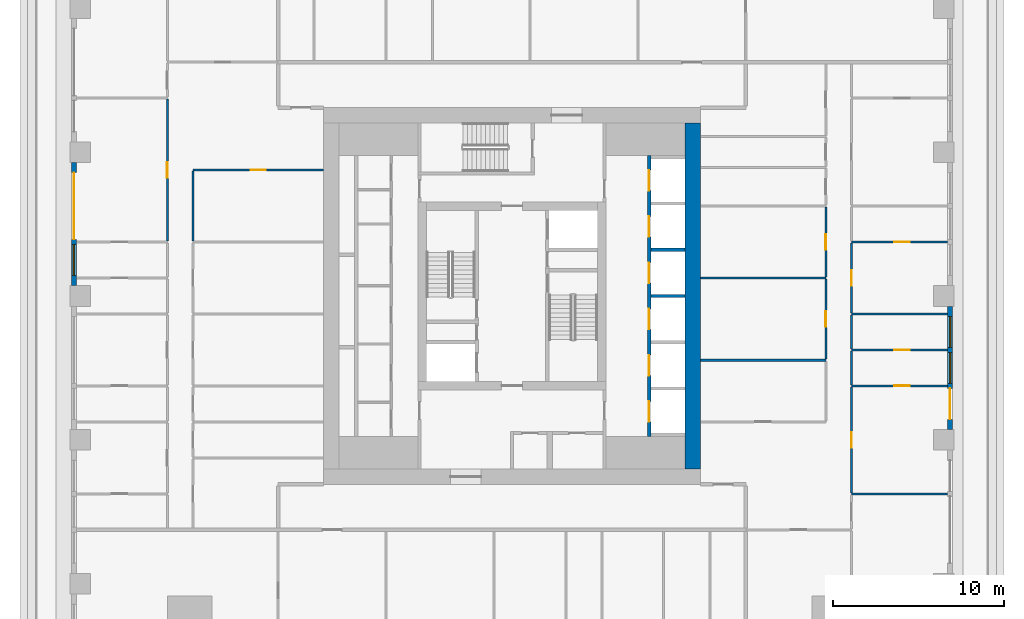
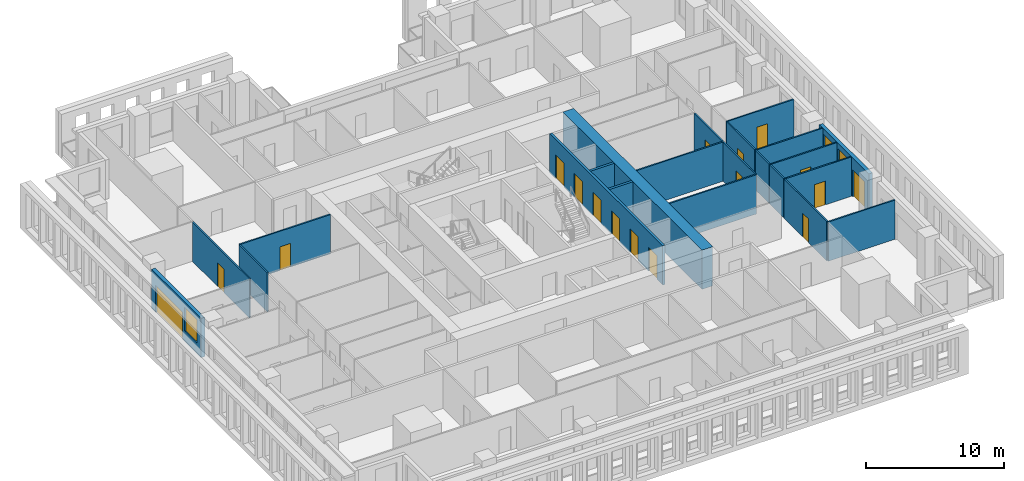
# One storey, part 6 of 16: 22 walls, 17 doors, 3 windows, 20 openings.
"""IFC4 building model written with IfcOpenShell, lengths in metres."""

from ifc_helpers import new_model, si_unit, direction, frame, frame_2d, origin, place, context, subcontext, project, spatial, rectangle, extrude, material, layer, layer_set, type_object, element, fill, save


model = new_model("IFC4")

# Units and contexts
model_context = context("Model", 3, precision=1e-05, world=origin(), true_north=direction((0.0, 1.0)))
body_context = subcontext(model_context, "Body", "Model", "MODEL_VIEW")
ifc_project = project(units=[si_unit("LENGTHUNIT", "METRE"), si_unit("AREAUNIT", "SQUARE_METRE"), si_unit("VOLUMEUNIT", "CUBIC_METRE"), si_unit("PLANEANGLEUNIT", "RADIAN"), si_unit("MASSUNIT", "GRAM", prefix="KILO")], contexts=[model_context])

# Site, building, storey
site_placement = place(None, origin())
site = spatial("IfcSite", under=ifc_project, at=site_placement, CompositionType="ELEMENT")
building_placement = place(site_placement, origin())
building = spatial("IfcBuilding", under=site, at=building_placement, Name="Khepri Terraces", CompositionType="ELEMENT")
storey_placement = place(building_placement, frame((0.0, 0.0, 149.39990234375)))
storey = spatial("IfcBuildingStorey", under=building, at=storey_placement, Name="L35", CompositionType="ELEMENT", Elevation=149.39990234375)

# Wall, openings, doors
ifc_material_1 = material(Name="Concrete C60/75", Category="concrete")
ifc_layer_1 = layer(ifc_material_1, 0.199951171875, Name="Concrete C60/75", Category="concrete")
ifc_layer_set_1 = layer_set([ifc_layer_1], Name="Concrete C60/75")
wall_type_1 = type_object("IfcWallType", Name="Core wall 200 C60/75", PredefinedType="SHEAR", material=ifc_layer_set_1)
wall_1_placement = place(storey_placement, frame((8.0, -8.199951171875, 0.0), z_axis=(0.0, 0.0, 1.0), x_axis=(0.0, 1.0, 0.0)))
wall_1 = element("IfcWall", 1, at=wall_1_placement, inside=storey, type_object=wall_type_1, Name="Core wall SH02 L35", PredefinedType="SHEAR", context=body_context, shape_type="SweptSolid", body=[
    extrude(rectangle(XDim=16.39990234375, YDim=0.199951171875, at=frame_2d((8.199951171875, 0.0))), origin(), (0.0, 0.0, 1.0), 3.47998046875),
])
opening_1_placement = place(wall_1_placement, frame((0.85009765625, 0.0, 0.0)))
opening_1 = element("IfcOpeningElement", 2, at=opening_1_placement, cuts=wall_1, Name="Opening L35-C01", PredefinedType="OPENING", context=body_context, shape_type="SweptSolid", body=[
    extrude(rectangle(XDim=1.199951171875, YDim=2.10009765625, at=frame_2d((0.60009765625, 1.050048828125))), frame((0.0, 0.10986328125, 0.0), z_axis=(0.0, -1.0, 0.0), x_axis=(1.0, 0.0, 0.0)), (0.0, 0.0, 1.0), 0.219970703125),
])
opening_2_placement = place(wall_1_placement, frame((3.550048828125, 0.0, 0.0)))
opening_2 = element("IfcOpeningElement", 3, at=opening_2_placement, cuts=wall_1, Name="Opening L35-C02", PredefinedType="OPENING", context=body_context, shape_type="SweptSolid", body=[
    extrude(rectangle(XDim=1.199951171875, YDim=2.10009765625, at=frame_2d((0.60009765625, 1.050048828125))), frame((0.0, 0.10986328125, 0.0), z_axis=(0.0, -1.0, 0.0), x_axis=(1.0, 0.0, 0.0)), (0.0, 0.0, 1.0), 0.219970703125),
])
opening_3_placement = place(wall_1_placement, frame((6.25, 0.0, 0.0)))
opening_3 = element("IfcOpeningElement", 4, at=opening_3_placement, cuts=wall_1, Name="Opening L35-C03", PredefinedType="OPENING", context=body_context, shape_type="SweptSolid", body=[
    extrude(rectangle(XDim=1.199951171875, YDim=2.10009765625, at=frame_2d((0.60009765625, 1.050048828125))), frame((0.0, 0.10986328125, 0.0), z_axis=(0.0, -1.0, 0.0), x_axis=(1.0, 0.0, 0.0)), (0.0, 0.0, 1.0), 0.219970703125),
])
opening_4_placement = place(wall_1_placement, frame((8.949951171875, 0.0, 0.0)))
opening_4 = element("IfcOpeningElement", 5, at=opening_4_placement, cuts=wall_1, Name="Opening L35-C04", PredefinedType="OPENING", context=body_context, shape_type="SweptSolid", body=[
    extrude(rectangle(XDim=1.199951171875, YDim=2.10009765625, at=frame_2d((0.60009765625, 1.050048828125))), frame((0.0, 0.10986328125, 0.0), z_axis=(0.0, -1.0, 0.0), x_axis=(1.0, 0.0, 0.0)), (0.0, 0.0, 1.0), 0.219970703125),
])
opening_5_placement = place(wall_1_placement, frame((11.64990234375, 0.0, 0.0)))
opening_5 = element("IfcOpeningElement", 6, at=opening_5_placement, cuts=wall_1, Name="Opening L35-C05", PredefinedType="OPENING", context=body_context, shape_type="SweptSolid", body=[
    extrude(rectangle(XDim=1.199951171875, YDim=2.10009765625, at=frame_2d((0.60009765625, 1.050048828125))), frame((0.0, 0.10986328125, 0.0), z_axis=(0.0, -1.0, 0.0), x_axis=(1.0, 0.0, 0.0)), (0.0, 0.0, 1.0), 0.219970703125),
])
opening_6_placement = place(wall_1_placement, frame((14.35009765625, 0.0, 0.0)))
opening_6 = element("IfcOpeningElement", 7, at=opening_6_placement, cuts=wall_1, Name="Opening L35-C06", PredefinedType="OPENING", context=body_context, shape_type="SweptSolid", body=[
    extrude(rectangle(XDim=1.199951171875, YDim=2.10009765625, at=frame_2d((0.60009765625, 1.050048828125))), frame((0.0, 0.10986328125, 0.0), z_axis=(0.0, -1.0, 0.0), x_axis=(1.0, 0.0, 0.0)), (0.0, 0.0, 1.0), 0.219970703125),
])
ifc_material_2 = material(Name="Stainless steel 304", Category="steel")
door_type_1 = type_object("IfcDoorType", Name="DR-CORE-LANDING-1200", OperationType="NOTDEFINED", PredefinedType="DOOR", material=ifc_material_2)
door_1_placement = place(opening_1_placement, origin())
door_1 = element("IfcDoor", 8, at=door_1_placement, inside=storey, type_object=door_type_1, Name="Lift landing door L35-C01", OperationType="SLIDING_TO_LEFT", OverallHeight=2.10009765625, OverallWidth=1.199951171875, PredefinedType="DOOR", context=body_context, shape_type="SweptSolid", body=[
    extrude(rectangle(XDim=1.199951171875, YDim=2.10009765625, at=frame_2d((0.60009765625, 1.050048828125))), frame((0.0, 0.02490234375, 0.0), z_axis=(0.0, -1.0, 0.0), x_axis=(1.0, 0.0, 0.0)), (0.0, 0.0, 1.0), 0.050048828125),
])
fill(opening_1, door_1)
door_2_placement = place(opening_2_placement, origin())
door_2 = element("IfcDoor", 9, at=door_2_placement, inside=storey, type_object=door_type_1, Name="Lift landing door L35-C02", OperationType="SLIDING_TO_LEFT", OverallHeight=2.10009765625, OverallWidth=1.199951171875, PredefinedType="DOOR", context=body_context, shape_type="SweptSolid", body=[
    extrude(rectangle(XDim=1.199951171875, YDim=2.10009765625, at=frame_2d((0.60009765625, 1.050048828125))), frame((0.0, 0.02490234375, 0.0), z_axis=(0.0, -1.0, 0.0), x_axis=(1.0, 0.0, 0.0)), (0.0, 0.0, 1.0), 0.050048828125),
])
fill(opening_2, door_2)
door_3_placement = place(opening_3_placement, origin())
door_3 = element("IfcDoor", 10, at=door_3_placement, inside=storey, type_object=door_type_1, Name="Lift landing door L35-C03", OperationType="SLIDING_TO_LEFT", OverallHeight=2.10009765625, OverallWidth=1.199951171875, PredefinedType="DOOR", context=body_context, shape_type="SweptSolid", body=[
    extrude(rectangle(XDim=1.199951171875, YDim=2.10009765625, at=frame_2d((0.60009765625, 1.050048828125))), frame((0.0, 0.02490234375, 0.0), z_axis=(0.0, -1.0, 0.0), x_axis=(1.0, 0.0, 0.0)), (0.0, 0.0, 1.0), 0.050048828125),
])
fill(opening_3, door_3)
door_4_placement = place(opening_4_placement, origin())
door_4 = element("IfcDoor", 11, at=door_4_placement, inside=storey, type_object=door_type_1, Name="Lift landing door L35-C04", OperationType="SLIDING_TO_LEFT", OverallHeight=2.10009765625, OverallWidth=1.199951171875, PredefinedType="DOOR", context=body_context, shape_type="SweptSolid", body=[
    extrude(rectangle(XDim=1.199951171875, YDim=2.10009765625, at=frame_2d((0.60009765625, 1.050048828125))), frame((0.0, 0.02490234375, 0.0), z_axis=(0.0, -1.0, 0.0), x_axis=(1.0, 0.0, 0.0)), (0.0, 0.0, 1.0), 0.050048828125),
])
fill(opening_4, door_4)
door_5_placement = place(opening_5_placement, origin())
door_5 = element("IfcDoor", 12, at=door_5_placement, inside=storey, type_object=door_type_1, Name="Lift landing door L35-C05", OperationType="SLIDING_TO_LEFT", OverallHeight=2.10009765625, OverallWidth=1.199951171875, PredefinedType="DOOR", context=body_context, shape_type="SweptSolid", body=[
    extrude(rectangle(XDim=1.199951171875, YDim=2.10009765625, at=frame_2d((0.60009765625, 1.050048828125))), frame((0.0, 0.02490234375, 0.0), z_axis=(0.0, -1.0, 0.0), x_axis=(1.0, 0.0, 0.0)), (0.0, 0.0, 1.0), 0.050048828125),
])
fill(opening_5, door_5)
door_6_placement = place(opening_6_placement, origin())
door_6 = element("IfcDoor", 13, at=door_6_placement, inside=storey, type_object=door_type_1, Name="Lift landing door L35-C06", OperationType="SLIDING_TO_LEFT", OverallHeight=2.10009765625, OverallWidth=1.199951171875, PredefinedType="DOOR", context=body_context, shape_type="SweptSolid", body=[
    extrude(rectangle(XDim=1.199951171875, YDim=2.10009765625, at=frame_2d((0.60009765625, 1.050048828125))), frame((0.0, 0.02490234375, 0.0), z_axis=(0.0, -1.0, 0.0), x_axis=(1.0, 0.0, 0.0)), (0.0, 0.0, 1.0), 0.050048828125),
])
fill(opening_6, door_6)

# Walls
for number, where, z_axis, x_axis, name in (
    (14, (8.10009765625, 0.0, 0.0), (0.0, 0.0, 1.0), (1.0, 0.0, 0.0), "Core wall SH09 L35"),
    (15, (8.10009765625, 2.699951171875, 0.0), (0.0, 0.0, 1.0), (1.0, 0.0, 0.0), "Core wall SH13 L35"),
):
    element("IfcWall", number, at=place(storey_placement, frame(where, z_axis=z_axis, x_axis=x_axis)), inside=storey, type_object=wall_type_1, Name=name, PredefinedType="SHEAR", context=body_context, shape_type="SweptSolid", body=[
        extrude(rectangle(XDim=2.0, YDim=0.199951171875, at=frame_2d((1.0, 0.0))), origin(), (0.0, 0.0, 1.0), 3.47998046875),
    ])
ifc_layer_2 = layer(ifc_material_1, 0.89990234375, Name="Concrete C60/75", Category="concrete")
ifc_layer_set_2 = layer_set([ifc_layer_2], Name="Concrete C60/75")
wall_type_2 = type_object("IfcWallType", Name="Core wall 900 C60/75", PredefinedType="SHEAR", material=ifc_layer_set_2)
wall_2_placement = place(storey_placement, frame((10.550048828125, -10.10009765625, 0.0), z_axis=(0.0, 0.0, 1.0), x_axis=(0.0, 1.0, 0.0)))
element("IfcWall", 16, at=wall_2_placement, inside=storey, type_object=wall_type_2, Name="Core wall OW-E L35", PredefinedType="SHEAR", context=body_context, shape_type="SweptSolid", body=[
    extrude(rectangle(XDim=20.2001953125, YDim=0.89990234375, at=frame_2d((10.10009765625, 0.0))), origin(), (0.0, 0.0, 1.0), 3.47998046875),
])

# Wall, openings, door, windows
ifc_material_3 = material(Name="Precast concrete C50/60 warm stone", Category="masonry")
ifc_layer_3 = layer(ifc_material_3, 0.300048828125, Name="Precast concrete C50/60 warm stone", Category="masonry")
ifc_layer_set_3 = layer_set([ifc_layer_3], Name="Precast concrete C50/60 warm stone")
wall_type_3 = type_object("IfcWallType", Name="WL-EXT-PRECAST-300", PredefinedType="STANDARD", material=ifc_layer_set_3)
wall_3_placement = place(storey_placement, frame((25.570068359375, -7.800048828125, 0.0), z_axis=(0.0, 0.0, 1.0), x_axis=(0.0, 1.0, 0.0)))
wall_3 = element("IfcWall", 17, at=wall_3_placement, inside=storey, type_object=wall_type_3, Name="External wall L35 E", PredefinedType="STANDARD", context=body_context, shape_type="SweptSolid", body=[
    extrude(rectangle(XDim=7.199951171875, YDim=0.300048828125, at=frame_2d((3.60009765625, 0.0))), origin(), (0.0, 0.0, 1.0), 3.47998046875),
])
opening_7_placement = place(wall_3_placement, frame((0.60009765625, 0.0, 0.0)))
opening_7 = element("IfcOpeningElement", 18, at=opening_7_placement, cuts=wall_3, Name="Opening ED-L35-04", PredefinedType="OPENING", context=body_context, shape_type="SweptSolid", body=[
    extrude(rectangle(XDim=1.800048828125, YDim=2.39990234375, at=frame_2d((0.89990234375, 1.199951171875))), frame((0.0, 0.16015625, 0.0), z_axis=(0.0, -1.0, 0.0), x_axis=(1.0, 0.0, 0.0)), (0.0, 0.0, 1.0), 0.320068359375),
])
opening_8_placement = place(wall_3_placement, frame((2.699951171875, 0.0, 0.89990234375)))
opening_8 = element("IfcOpeningElement", 19, at=opening_8_placement, cuts=wall_3, Name="Opening W1", PredefinedType="OPENING", context=body_context, shape_type="SweptSolid", body=[
    extrude(rectangle(XDim=1.800048828125, YDim=2.10009765625, at=frame_2d((0.89990234375, 1.050048828125))), frame((0.0, 0.16015625, 0.0), z_axis=(0.0, -1.0, 0.0), x_axis=(1.0, 0.0, 0.0)), (0.0, 0.0, 1.0), 0.320068359375),
])
opening_9_placement = place(wall_3_placement, frame((4.800048828125, 0.0, 0.89990234375)))
opening_9 = element("IfcOpeningElement", 20, at=opening_9_placement, cuts=wall_3, Name="Opening W1", PredefinedType="OPENING", context=body_context, shape_type="SweptSolid", body=[
    extrude(rectangle(XDim=1.800048828125, YDim=2.10009765625, at=frame_2d((0.89990234375, 1.050048828125))), frame((0.0, 0.16015625, 0.0), z_axis=(0.0, -1.0, 0.0), x_axis=(1.0, 0.0, 0.0)), (0.0, 0.0, 1.0), 0.320068359375),
])
ifc_material_4 = material(Name="Anodised aluminium bronze glazed door", Category="aluminium")
door_type_2 = type_object("IfcDoorType", Name="DR-BAL-SLIDE-1800x2400", OperationType="NOTDEFINED", PredefinedType="DOOR", material=ifc_material_4)
door_7_placement = place(opening_7_placement, origin())
door_7 = element("IfcDoor", 21, at=door_7_placement, inside=storey, type_object=door_type_2, Name="Balcony door L35 E", OperationType="SLIDING_TO_LEFT", OverallHeight=2.39990234375, OverallWidth=1.800048828125, PredefinedType="DOOR", context=body_context, shape_type="SweptSolid", body=[
    extrude(rectangle(XDim=1.800048828125, YDim=2.39990234375, at=frame_2d((0.89990234375, 1.199951171875))), frame((0.0, 0.02490234375, 0.0), z_axis=(0.0, -1.0, 0.0), x_axis=(1.0, 0.0, 0.0)), (0.0, 0.0, 1.0), 0.050048828125),
])
fill(opening_7, door_7)
ifc_material_5 = material(Name="Clear glass", Category="glass")
window_type = type_object("IfcWindowType", Name="WIN-RES-1800x2100", PartitioningType="SINGLE_PANEL", PredefinedType="WINDOW", material=ifc_material_5)
window_1_placement = place(opening_8_placement, origin())
window_1 = element("IfcWindow", 22, at=window_1_placement, inside=storey, type_object=window_type, Name="Window L35 E", OverallHeight=2.10009765625, OverallWidth=1.800048828125, PartitioningType="SINGLE_PANEL", PredefinedType="WINDOW", context=body_context, shape_type="SweptSolid", body=[
    extrude(rectangle(XDim=1.800048828125, YDim=2.10009765625, at=frame_2d((0.89990234375, 1.050048828125))), frame((0.0, 0.030029296875, 0.0), z_axis=(0.0, -1.0, 0.0), x_axis=(1.0, 0.0, 0.0)), (0.0, 0.0, 1.0), 0.06005859375),
])
fill(opening_8, window_1)
window_2_placement = place(opening_9_placement, origin())
window_2 = element("IfcWindow", 23, at=window_2_placement, inside=storey, type_object=window_type, Name="Window L35 E", OverallHeight=2.10009765625, OverallWidth=1.800048828125, PartitioningType="SINGLE_PANEL", PredefinedType="WINDOW", context=body_context, shape_type="SweptSolid", body=[
    extrude(rectangle(XDim=1.800048828125, YDim=2.10009765625, at=frame_2d((0.89990234375, 1.050048828125))), frame((0.0, 0.030029296875, 0.0), z_axis=(0.0, -1.0, 0.0), x_axis=(1.0, 0.0, 0.0)), (0.0, 0.0, 1.0), 0.06005859375),
])
fill(opening_9, window_2)

# Wall, openings, door, window
wall_4_placement = place(storey_placement, frame((-25.570068359375, 7.800048828125, 0.0), z_axis=(0.0, 0.0, 1.0), x_axis=(0.0, -1.0, 0.0)))
wall_4 = element("IfcWall", 24, at=wall_4_placement, inside=storey, type_object=wall_type_3, Name="External wall L35 W", PredefinedType="STANDARD", context=body_context, shape_type="SweptSolid", body=[
    extrude(rectangle(XDim=7.199951171875, YDim=0.300048828125, at=frame_2d((3.60009765625, 0.0))), origin(), (0.0, 0.0, 1.0), 3.47998046875),
])
opening_10_placement = place(wall_4_placement, frame((0.60009765625, 0.0, 0.0)))
opening_10 = element("IfcOpeningElement", 25, at=opening_10_placement, cuts=wall_4, Name="Opening ED-L35-14", PredefinedType="OPENING", context=body_context, shape_type="SweptSolid", body=[
    extrude(rectangle(XDim=3.89990234375, YDim=2.39990234375, at=frame_2d((1.949951171875, 1.199951171875))), frame((0.0, 0.16015625, 0.0), z_axis=(0.0, -1.0, 0.0), x_axis=(1.0, 0.0, 0.0)), (0.0, 0.0, 1.0), 0.320068359375),
])
opening_11_placement = place(wall_4_placement, frame((4.800048828125, 0.0, 0.89990234375)))
opening_11 = element("IfcOpeningElement", 26, at=opening_11_placement, cuts=wall_4, Name="Opening W1", PredefinedType="OPENING", context=body_context, shape_type="SweptSolid", body=[
    extrude(rectangle(XDim=1.800048828125, YDim=2.10009765625, at=frame_2d((0.89990234375, 1.050048828125))), frame((0.0, 0.16015625, 0.0), z_axis=(0.0, -1.0, 0.0), x_axis=(1.0, 0.0, 0.0)), (0.0, 0.0, 1.0), 0.320068359375),
])
door_type_3 = type_object("IfcDoorType", Name="DR-BAL-SLIDE-3900x2400", OperationType="NOTDEFINED", PredefinedType="DOOR", material=ifc_material_4)
door_8_placement = place(opening_10_placement, origin())
door_8 = element("IfcDoor", 27, at=door_8_placement, inside=storey, type_object=door_type_3, Name="Balcony door L35 W", OperationType="SLIDING_TO_LEFT", OverallHeight=2.39990234375, OverallWidth=3.89990234375, PredefinedType="DOOR", context=body_context, shape_type="SweptSolid", body=[
    extrude(rectangle(XDim=3.89990234375, YDim=2.39990234375, at=frame_2d((1.949951171875, 1.199951171875))), frame((0.0, 0.02490234375, 0.0), z_axis=(0.0, -1.0, 0.0), x_axis=(1.0, 0.0, 0.0)), (0.0, 0.0, 1.0), 0.050048828125),
])
fill(opening_10, door_8)
window_3_placement = place(opening_11_placement, origin())
window_3 = element("IfcWindow", 28, at=window_3_placement, inside=storey, type_object=window_type, Name="Window L35 W", OverallHeight=2.10009765625, OverallWidth=1.800048828125, PartitioningType="SINGLE_PANEL", PredefinedType="WINDOW", context=body_context, shape_type="SweptSolid", body=[
    extrude(rectangle(XDim=1.800048828125, YDim=2.10009765625, at=frame_2d((0.89990234375, 1.050048828125))), frame((0.0, 0.030029296875, 0.0), z_axis=(0.0, -1.0, 0.0), x_axis=(1.0, 0.0, 0.0)), (0.0, 0.0, 1.0), 0.06005859375),
])
fill(opening_11, window_3)

# Wall
ifc_material_6 = material(Name="Gypsum plasterboard partition")
ifc_layer_4 = layer(ifc_material_6, 0.1201171875, Name="Gypsum plasterboard partition")
ifc_layer_set_4 = layer_set([ifc_layer_4], Name="Gypsum plasterboard partition")
wall_type_4 = type_object("IfcWallType", Name="WL-PART-120", PredefinedType="PARTITIONING", material=ifc_layer_set_4)
wall_5_placement = place(storey_placement, frame((19.820068359375, -11.550048828125, 0.0), z_axis=(0.0, 0.0, 1.0), x_axis=(1.0, 0.0, 0.0)))
element("IfcWall", 29, at=wall_5_placement, inside=storey, type_object=wall_type_4, Name="Partition P-027 L35", PredefinedType="PARTITIONING", context=body_context, shape_type="SweptSolid", body=[
    extrude(rectangle(XDim=5.599853515625, YDim=0.1201171875, at=frame_2d((2.7998046875, 0.0))), origin(), (0.0, 0.0, 1.0), 3.47998046875),
])

# Wall, opening, door
wall_6_placement = place(storey_placement, frame((19.820068359375, -11.489990234375, 0.0), z_axis=(0.0, 0.0, 1.0), x_axis=(0.0, 1.0, 0.0)))
wall_6 = element("IfcWall", 30, at=wall_6_placement, inside=storey, type_object=wall_type_4, Name="Partition P-029 L35", PredefinedType="PARTITIONING", context=body_context, shape_type="SweptSolid", body=[
    extrude(rectangle(XDim=6.179931640625, YDim=0.1201171875, at=frame_2d((3.08984375, 0.0))), origin(), (0.0, 0.0, 1.0), 3.47998046875),
])
opening_12_placement = place(wall_6_placement, frame((2.639892578125, 0.0, 0.0)))
opening_12 = element("IfcOpeningElement", 31, at=opening_12_placement, cuts=wall_6, Name="Opening D3", PredefinedType="OPENING", context=body_context, shape_type="SweptSolid", body=[
    extrude(rectangle(XDim=0.89990234375, YDim=2.10009765625, at=frame_2d((0.449951171875, 1.050048828125))), frame((0.0, 0.070068359375, 0.0), z_axis=(0.0, -1.0, 0.0), x_axis=(1.0, 0.0, 0.0)), (0.0, 0.0, 1.0), 0.14013671875),
])
ifc_material_7 = material(Name="Timber door leaf", Category="wood")
door_type_4 = type_object("IfcDoorType", Name="DR-INT-900", OperationType="NOTDEFINED", PredefinedType="DOOR", material=ifc_material_7)
door_9_placement = place(opening_12_placement, frame((0.89990234375, 0.0, 0.0), z_axis=(0.0, 0.0, 1.0), x_axis=(-1.0, 0.0, 0.0)))
door_9 = element("IfcDoor", 32, at=door_9_placement, inside=storey, type_object=door_type_4, Name="Door Master Bedroom", OperationType="SINGLE_SWING_RIGHT", OverallHeight=2.10009765625, OverallWidth=0.89990234375, PredefinedType="DOOR", context=body_context, shape_type="SweptSolid", body=[
    extrude(rectangle(XDim=0.89990234375, YDim=2.10009765625, at=frame_2d((0.449951171875, 1.050048828125))), frame((0.0, 0.02490234375, 0.0), z_axis=(0.0, -1.0, 0.0), x_axis=(1.0, 0.0, 0.0)), (0.0, 0.0, 1.0), 0.050048828125),
])
fill(opening_12, door_9)

wall_7_placement = place(storey_placement, frame((19.820068359375, -5.25, 0.0), z_axis=(0.0, 0.0, 1.0), x_axis=(1.0, 0.0, 0.0)))
wall_7 = element("IfcWall", 33, at=wall_7_placement, inside=storey, type_object=wall_type_4, Name="Partition P-042 L35", PredefinedType="PARTITIONING", context=body_context, shape_type="SweptSolid", body=[
    extrude(rectangle(XDim=5.599853515625, YDim=0.1201171875, at=frame_2d((2.7998046875, 0.0))), origin(), (0.0, 0.0, 1.0), 3.47998046875),
])
opening_13_placement = place(wall_7_placement, frame((2.5, 0.0, 0.0)))
opening_13 = element("IfcOpeningElement", 34, at=opening_13_placement, cuts=wall_7, Name="Opening D3", PredefinedType="OPENING", context=body_context, shape_type="SweptSolid", body=[
    extrude(rectangle(XDim=0.89990234375, YDim=2.10009765625, at=frame_2d((0.449951171875, 1.050048828125))), frame((0.0, 0.070068359375, 0.0), z_axis=(0.0, -1.0, 0.0), x_axis=(1.0, 0.0, 0.0)), (0.0, 0.0, 1.0), 0.14013671875),
])
door_10_placement = place(opening_13_placement, origin())
door_10 = element("IfcDoor", 35, at=door_10_placement, inside=storey, type_object=door_type_4, Name="Door Dressing Room", OperationType="SINGLE_SWING_RIGHT", OverallHeight=2.10009765625, OverallWidth=0.89990234375, PredefinedType="DOOR", context=body_context, shape_type="SweptSolid", body=[
    extrude(rectangle(XDim=0.89990234375, YDim=2.10009765625, at=frame_2d((0.449951171875, 1.050048828125))), frame((0.0, 0.02490234375, 0.0), z_axis=(0.0, -1.0, 0.0), x_axis=(1.0, 0.0, 0.0)), (0.0, 0.0, 1.0), 0.050048828125),
])
fill(opening_13, door_10)

# Walls
wall_8_placement = place(storey_placement, frame((19.820068359375, -5.18994140625, 0.0), z_axis=(0.0, 0.0, 1.0), x_axis=(0.0, 1.0, 0.0)))
element("IfcWall", 36, at=wall_8_placement, inside=storey, type_object=wall_type_4, Name="Partition P-045 L35", PredefinedType="PARTITIONING", context=body_context, shape_type="SweptSolid", body=[
    extrude(rectangle(XDim=1.97998046875, YDim=0.1201171875, at=frame_2d((0.989990234375, 0.0))), origin(), (0.0, 0.0, 1.0), 3.47998046875),
])
wall_9_placement = place(storey_placement, frame((11.0, -3.75, 0.0), z_axis=(0.0, 0.0, 1.0), x_axis=(1.0, 0.0, 0.0)))
element("IfcWall", 37, at=wall_9_placement, inside=storey, type_object=wall_type_4, Name="Partition P-046 L35", PredefinedType="PARTITIONING", context=body_context, shape_type="SweptSolid", body=[
    extrude(rectangle(XDim=7.320068359375, YDim=0.1201171875, at=frame_2d((3.66015625, 0.0))), origin(), (0.0, 0.0, 1.0), 3.47998046875),
])

# Wall, opening, door
wall_10_placement = place(storey_placement, frame((18.320068359375, -3.68994140625, 0.0), z_axis=(0.0, 0.0, 1.0), x_axis=(0.0, 1.0, 0.0)))
wall_10 = element("IfcWall", 38, at=wall_10_placement, inside=storey, type_object=wall_type_4, Name="Partition P-047 L35", PredefinedType="PARTITIONING", context=body_context, shape_type="SweptSolid", body=[
    extrude(rectangle(XDim=4.679931640625, YDim=0.1201171875, at=frame_2d((2.33984375, 0.0))), origin(), (0.0, 0.0, 1.0), 3.47998046875),
])
opening_14_placement = place(wall_10_placement, frame((1.889892578125, 0.0, 0.0)))
opening_14 = element("IfcOpeningElement", 39, at=opening_14_placement, cuts=wall_10, Name="Opening D3", PredefinedType="OPENING", context=body_context, shape_type="SweptSolid", body=[
    extrude(rectangle(XDim=0.89990234375, YDim=2.10009765625, at=frame_2d((0.449951171875, 1.050048828125))), frame((0.0, 0.070068359375, 0.0), z_axis=(0.0, -1.0, 0.0), x_axis=(1.0, 0.0, 0.0)), (0.0, 0.0, 1.0), 0.14013671875),
])
door_11_placement = place(opening_14_placement, origin())
door_11 = element("IfcDoor", 40, at=door_11_placement, inside=storey, type_object=door_type_4, Name="Door Service Store", OperationType="SINGLE_SWING_RIGHT", OverallHeight=2.10009765625, OverallWidth=0.89990234375, PredefinedType="DOOR", context=body_context, shape_type="SweptSolid", body=[
    extrude(rectangle(XDim=0.89990234375, YDim=2.10009765625, at=frame_2d((0.449951171875, 1.050048828125))), frame((0.0, 0.02490234375, 0.0), z_axis=(0.0, -1.0, 0.0), x_axis=(1.0, 0.0, 0.0)), (0.0, 0.0, 1.0), 0.050048828125),
])
fill(opening_14, door_11)

wall_11_placement = place(storey_placement, frame((19.820068359375, -3.14990234375, 0.0), z_axis=(0.0, 0.0, 1.0), x_axis=(1.0, 0.0, 0.0)))
wall_11 = element("IfcWall", 41, at=wall_11_placement, inside=storey, type_object=wall_type_4, Name="Partition P-048 L35", PredefinedType="PARTITIONING", context=body_context, shape_type="SweptSolid", body=[
    extrude(rectangle(XDim=5.599853515625, YDim=0.1201171875, at=frame_2d((2.7998046875, 0.0))), origin(), (0.0, 0.0, 1.0), 3.47998046875),
])
opening_15_placement = place(wall_11_placement, frame((2.5, 0.0, 0.0)))
opening_15 = element("IfcOpeningElement", 42, at=opening_15_placement, cuts=wall_11, Name="Opening D4", PredefinedType="OPENING", context=body_context, shape_type="SweptSolid", body=[
    extrude(rectangle(XDim=0.89990234375, YDim=2.10009765625, at=frame_2d((0.449951171875, 1.050048828125))), frame((0.0, 0.070068359375, 0.0), z_axis=(0.0, -1.0, 0.0), x_axis=(1.0, 0.0, 0.0)), (0.0, 0.0, 1.0), 0.14013671875),
])
ifc_material_8 = material(Name="Timber door leaf, moisture resistant", Category="wood")
door_type_5 = type_object("IfcDoorType", Name="DR-WET-900", OperationType="NOTDEFINED", PredefinedType="DOOR", material=ifc_material_8)
door_12_placement = place(opening_15_placement, origin())
door_12 = element("IfcDoor", 43, at=door_12_placement, inside=storey, type_object=door_type_5, Name="Door Bathroom", OperationType="SINGLE_SWING_RIGHT", OverallHeight=2.10009765625, OverallWidth=0.89990234375, PredefinedType="DOOR", context=body_context, shape_type="SweptSolid", body=[
    extrude(rectangle(XDim=0.89990234375, YDim=2.10009765625, at=frame_2d((0.449951171875, 1.050048828125))), frame((0.0, 0.02490234375, 0.0), z_axis=(0.0, -1.0, 0.0), x_axis=(1.0, 0.0, 0.0)), (0.0, 0.0, 1.0), 0.050048828125),
])
fill(opening_15, door_12)

# Walls
wall_12_placement = place(storey_placement, frame((19.820068359375, -3.090087890625, 0.0), z_axis=(0.0, 0.0, 1.0), x_axis=(0.0, 1.0, 0.0)))
element("IfcWall", 44, at=wall_12_placement, inside=storey, type_object=wall_type_4, Name="Partition P-049 L35", PredefinedType="PARTITIONING", context=body_context, shape_type="SweptSolid", body=[
    extrude(rectangle(XDim=1.97998046875, YDim=0.1201171875, at=frame_2d((0.989990234375, 0.0))), origin(), (0.0, 0.0, 1.0), 3.47998046875),
])
wall_13_placement = place(storey_placement, frame((19.820068359375, -1.050048828125, 0.0), z_axis=(0.0, 0.0, 1.0), x_axis=(1.0, 0.0, 0.0)))
element("IfcWall", 45, at=wall_13_placement, inside=storey, type_object=wall_type_4, Name="Partition P-052 L35", PredefinedType="PARTITIONING", context=body_context, shape_type="SweptSolid", body=[
    extrude(rectangle(XDim=5.599853515625, YDim=0.1201171875, at=frame_2d((2.7998046875, 0.0))), origin(), (0.0, 0.0, 1.0), 3.47998046875),
])

# Wall, opening, door
wall_14_placement = place(storey_placement, frame((19.820068359375, -0.989990234375, 0.0), z_axis=(0.0, 0.0, 1.0), x_axis=(0.0, 1.0, 0.0)))
wall_14 = element("IfcWall", 46, at=wall_14_placement, inside=storey, type_object=wall_type_4, Name="Partition P-055 L35", PredefinedType="PARTITIONING", context=body_context, shape_type="SweptSolid", body=[
    extrude(rectangle(XDim=4.080078125, YDim=0.1201171875, at=frame_2d((2.0400390625, 0.0))), origin(), (0.0, 0.0, 1.0), 3.47998046875),
])
opening_16_placement = place(wall_14_placement, frame((1.590087890625, 0.0, 0.0)))
opening_16 = element("IfcOpeningElement", 47, at=opening_16_placement, cuts=wall_14, Name="Opening D3", PredefinedType="OPENING", context=body_context, shape_type="SweptSolid", body=[
    extrude(rectangle(XDim=0.89990234375, YDim=2.10009765625, at=frame_2d((0.449951171875, 1.050048828125))), frame((0.0, 0.070068359375, 0.0), z_axis=(0.0, -1.0, 0.0), x_axis=(1.0, 0.0, 0.0)), (0.0, 0.0, 1.0), 0.14013671875),
])
door_13_placement = place(opening_16_placement, frame((0.89990234375, 0.0, 0.0), z_axis=(0.0, 0.0, 1.0), x_axis=(-1.0, 0.0, 0.0)))
door_13 = element("IfcDoor", 48, at=door_13_placement, inside=storey, type_object=door_type_4, Name="Door Bedroom", OperationType="SINGLE_SWING_LEFT", OverallHeight=2.10009765625, OverallWidth=0.89990234375, PredefinedType="DOOR", context=body_context, shape_type="SweptSolid", body=[
    extrude(rectangle(XDim=0.89990234375, YDim=2.10009765625, at=frame_2d((0.449951171875, 1.050048828125))), frame((0.0, 0.02490234375, 0.0), z_axis=(0.0, -1.0, 0.0), x_axis=(1.0, 0.0, 0.0)), (0.0, 0.0, 1.0), 0.050048828125),
])
fill(opening_16, door_13)

# Wall
wall_15_placement = place(storey_placement, frame((11.0, 1.050048828125, 0.0), z_axis=(0.0, 0.0, 1.0), x_axis=(1.0, 0.0, 0.0)))
element("IfcWall", 49, at=wall_15_placement, inside=storey, type_object=wall_type_4, Name="Partition P-057 L35", PredefinedType="PARTITIONING", context=body_context, shape_type="SweptSolid", body=[
    extrude(rectangle(XDim=7.320068359375, YDim=0.1201171875, at=frame_2d((3.66015625, 0.0))), origin(), (0.0, 0.0, 1.0), 3.47998046875),
])

# Wall, opening, door
wall_16_placement = place(storey_placement, frame((18.320068359375, 1.110107421875, 0.0), z_axis=(0.0, 0.0, 1.0), x_axis=(0.0, 1.0, 0.0)))
wall_16 = element("IfcWall", 50, at=wall_16_placement, inside=storey, type_object=wall_type_4, Name="Partition P-059 L35", PredefinedType="PARTITIONING", context=body_context, shape_type="SweptSolid", body=[
    extrude(rectangle(XDim=4.079833984375, YDim=0.1201171875, at=frame_2d((2.0400390625, 0.0))), origin(), (0.0, 0.0, 1.0), 3.47998046875),
])
opening_17_placement = place(wall_16_placement, frame((1.590087890625, 0.0, 0.0)))
opening_17 = element("IfcOpeningElement", 51, at=opening_17_placement, cuts=wall_16, Name="Opening D3", PredefinedType="OPENING", context=body_context, shape_type="SweptSolid", body=[
    extrude(rectangle(XDim=0.89990234375, YDim=2.10009765625, at=frame_2d((0.449951171875, 1.050048828125))), frame((0.0, 0.070068359375, 0.0), z_axis=(0.0, -1.0, 0.0), x_axis=(1.0, 0.0, 0.0)), (0.0, 0.0, 1.0), 0.14013671875),
])
door_14_placement = place(opening_17_placement, origin())
door_14 = element("IfcDoor", 52, at=door_14_placement, inside=storey, type_object=door_type_4, Name="Door Staff Bedroom", OperationType="SINGLE_SWING_RIGHT", OverallHeight=2.10009765625, OverallWidth=0.89990234375, PredefinedType="DOOR", context=body_context, shape_type="SweptSolid", body=[
    extrude(rectangle(XDim=0.89990234375, YDim=2.10009765625, at=frame_2d((0.449951171875, 1.050048828125))), frame((0.0, 0.02490234375, 0.0), z_axis=(0.0, -1.0, 0.0), x_axis=(1.0, 0.0, 0.0)), (0.0, 0.0, 1.0), 0.050048828125),
])
fill(opening_17, door_14)

wall_17_placement = place(storey_placement, frame((19.820068359375, 3.14990234375, 0.0), z_axis=(0.0, 0.0, 1.0), x_axis=(1.0, 0.0, 0.0)))
wall_17 = element("IfcWall", 53, at=wall_17_placement, inside=storey, type_object=wall_type_4, Name="Partition P-062 L35", PredefinedType="PARTITIONING", context=body_context, shape_type="SweptSolid", body=[
    extrude(rectangle(XDim=5.599853515625, YDim=0.1201171875, at=frame_2d((2.7998046875, 0.0))), origin(), (0.0, 0.0, 1.0), 3.47998046875),
])
opening_18_placement = place(wall_17_placement, frame((2.5, 0.0, 0.0)))
opening_18 = element("IfcOpeningElement", 54, at=opening_18_placement, cuts=wall_17, Name="Opening D4", PredefinedType="OPENING", context=body_context, shape_type="SweptSolid", body=[
    extrude(rectangle(XDim=0.89990234375, YDim=2.10009765625, at=frame_2d((0.449951171875, 1.050048828125))), frame((0.0, 0.070068359375, 0.0), z_axis=(0.0, -1.0, 0.0), x_axis=(1.0, 0.0, 0.0)), (0.0, 0.0, 1.0), 0.14013671875),
])
door_15_placement = place(opening_18_placement, origin())
door_15 = element("IfcDoor", 55, at=door_15_placement, inside=storey, type_object=door_type_5, Name="Door Bathroom", OperationType="SINGLE_SWING_RIGHT", OverallHeight=2.10009765625, OverallWidth=0.89990234375, PredefinedType="DOOR", context=body_context, shape_type="SweptSolid", body=[
    extrude(rectangle(XDim=0.89990234375, YDim=2.10009765625, at=frame_2d((0.449951171875, 1.050048828125))), frame((0.0, 0.02490234375, 0.0), z_axis=(0.0, -1.0, 0.0), x_axis=(1.0, 0.0, 0.0)), (0.0, 0.0, 1.0), 0.050048828125),
])
fill(opening_18, door_15)

wall_18_placement = place(storey_placement, frame((-20.1201171875, 3.2099609375, 0.0), z_axis=(0.0, 0.0, 1.0), x_axis=(0.0, 1.0, 0.0)))
wall_18 = element("IfcWall", 56, at=wall_18_placement, inside=storey, type_object=wall_type_4, Name="Partition P-063 L35", PredefinedType="PARTITIONING", context=body_context, shape_type="SweptSolid", body=[
    extrude(rectangle(XDim=8.280029296875, YDim=0.1201171875, at=frame_2d((4.14013671875, 0.0))), origin(), (0.0, 0.0, 1.0), 3.47998046875),
])
opening_19_placement = place(wall_18_placement, frame((3.68994140625, 0.0, 0.0)))
opening_19 = element("IfcOpeningElement", 57, at=opening_19_placement, cuts=wall_18, Name="Opening D3", PredefinedType="OPENING", context=body_context, shape_type="SweptSolid", body=[
    extrude(rectangle(XDim=0.89990234375, YDim=2.10009765625, at=frame_2d((0.449951171875, 1.050048828125))), frame((0.0, 0.070068359375, 0.0), z_axis=(0.0, -1.0, 0.0), x_axis=(1.0, 0.0, 0.0)), (0.0, 0.0, 1.0), 0.14013671875),
])
door_16_placement = place(opening_19_placement, origin())
door_16 = element("IfcDoor", 58, at=door_16_placement, inside=storey, type_object=door_type_4, Name="Door Master Bedroom", OperationType="SINGLE_SWING_RIGHT", OverallHeight=2.10009765625, OverallWidth=0.89990234375, PredefinedType="DOOR", context=body_context, shape_type="SweptSolid", body=[
    extrude(rectangle(XDim=0.89990234375, YDim=2.10009765625, at=frame_2d((0.449951171875, 1.050048828125))), frame((0.0, 0.02490234375, 0.0), z_axis=(0.0, -1.0, 0.0), x_axis=(1.0, 0.0, 0.0)), (0.0, 0.0, 1.0), 0.050048828125),
])
fill(opening_19, door_16)

# Wall
wall_19_placement = place(storey_placement, frame((-18.6201171875, 3.2099609375, 0.0), z_axis=(0.0, 0.0, 1.0), x_axis=(0.0, 1.0, 0.0)))
element("IfcWall", 59, at=wall_19_placement, inside=storey, type_object=wall_type_4, Name="Partition P-064 L35", PredefinedType="PARTITIONING", context=body_context, shape_type="SweptSolid", body=[
    extrude(rectangle(XDim=4.080078125, YDim=0.1201171875, at=frame_2d((2.0400390625, 0.0))), origin(), (0.0, 0.0, 1.0), 3.47998046875),
])

# Wall, opening, door
wall_20_placement = place(storey_placement, frame((-18.6201171875, 7.35009765625, 0.0), z_axis=(0.0, 0.0, 1.0), x_axis=(1.0, 0.0, 0.0)))
wall_20 = element("IfcWall", 60, at=wall_20_placement, inside=storey, type_object=wall_type_4, Name="Partition P-070 L35", PredefinedType="PARTITIONING", context=body_context, shape_type="SweptSolid", body=[
    extrude(rectangle(XDim=7.6201171875, YDim=0.1201171875, at=frame_2d((3.81005859375, 0.0))), origin(), (0.0, 0.0, 1.0), 3.47998046875),
])
opening_20_placement = place(wall_20_placement, frame((3.360107421875, 0.0, 0.0)))
opening_20 = element("IfcOpeningElement", 61, at=opening_20_placement, cuts=wall_20, Name="Opening D3", PredefinedType="OPENING", context=body_context, shape_type="SweptSolid", body=[
    extrude(rectangle(XDim=0.89990234375, YDim=2.10009765625, at=frame_2d((0.449951171875, 1.050048828125))), frame((0.0, 0.070068359375, 0.0), z_axis=(0.0, -1.0, 0.0), x_axis=(1.0, 0.0, 0.0)), (0.0, 0.0, 1.0), 0.14013671875),
])
door_17_placement = place(opening_20_placement, frame((0.89990234375, 0.0, 0.0), z_axis=(0.0, 0.0, 1.0), x_axis=(-1.0, 0.0, 0.0)))
door_17 = element("IfcDoor", 62, at=door_17_placement, inside=storey, type_object=door_type_4, Name="Door Kitchen", OperationType="SINGLE_SWING_LEFT", OverallHeight=2.10009765625, OverallWidth=0.89990234375, PredefinedType="DOOR", context=body_context, shape_type="SweptSolid", body=[
    extrude(rectangle(XDim=0.89990234375, YDim=2.10009765625, at=frame_2d((0.449951171875, 1.050048828125))), frame((0.0, 0.02490234375, 0.0), z_axis=(0.0, -1.0, 0.0), x_axis=(1.0, 0.0, 0.0)), (0.0, 0.0, 1.0), 0.050048828125),
])
fill(opening_20, door_17)

save(model, "model.ifc")
